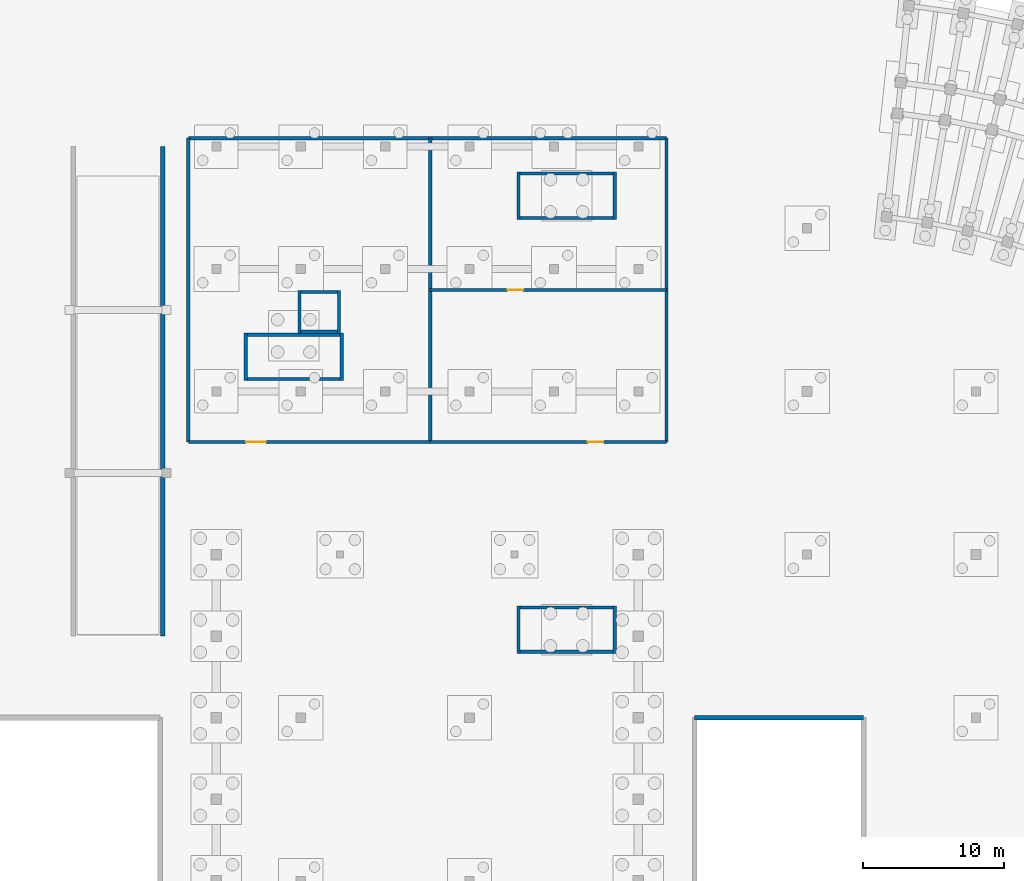
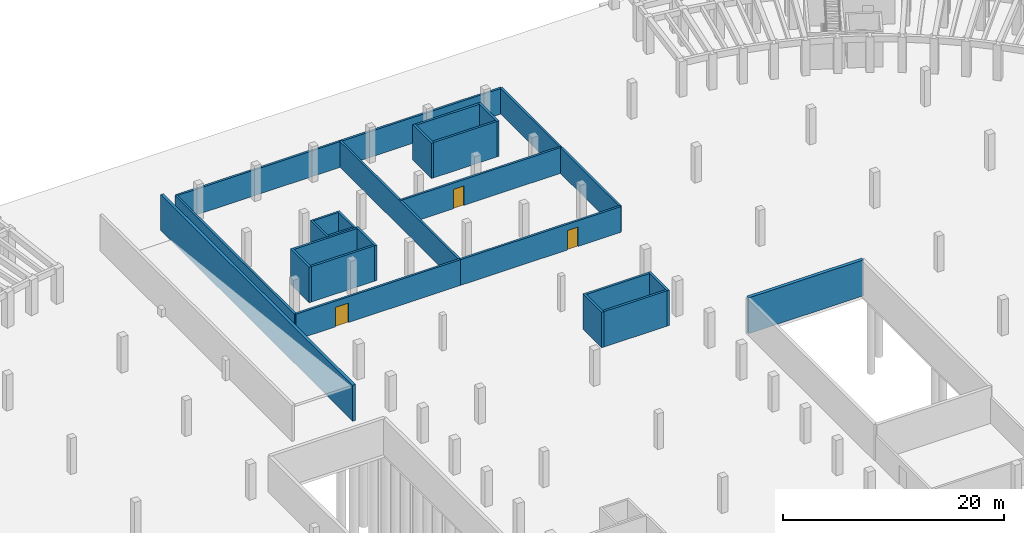
# One storey, part 21 of 29: 25 walls, 3 doors, 3 openings.
"""IFC4 building model written with IfcOpenShell, lengths in metres."""

from ifc_helpers import new_model, si_unit, direction, frame, frame_2d, origin, place, context, subcontext, project, spatial, rectangle, extrude, material, layer, layer_set, type_object, element, fill, save


model = new_model("IFC4")

# Units and contexts
model_context = context("Model", 3, precision=1e-05, world=origin(), true_north=direction((0.0, 1.0)))
body_context = subcontext(model_context, "Body", "Model", "MODEL_VIEW")
ifc_project = project(units=[si_unit("LENGTHUNIT", "METRE"), si_unit("AREAUNIT", "SQUARE_METRE"), si_unit("VOLUMEUNIT", "CUBIC_METRE"), si_unit("PLANEANGLEUNIT", "RADIAN"), si_unit("MASSUNIT", "GRAM", prefix="KILO")], contexts=[model_context])

# Site, building, storey
site_placement = place(None, origin())
site = spatial("IfcSite", under=ifc_project, at=site_placement, CompositionType="ELEMENT")
building_placement = place(site_placement, origin())
building = spatial("IfcBuilding", under=site, at=building_placement, Name="Tanwirah Colonnade Gardens", CompositionType="ELEMENT")
storey_placement = place(building_placement, frame((0.0, 0.0, -4.199951171875)))
storey = spatial("IfcBuildingStorey", under=building, at=storey_placement, Name="B1", CompositionType="ELEMENT", Elevation=-4.199951171875)

# Walls
ifc_material_1 = material(Name="Autoclaved aerated masonry blockwork", Category="masonry")
ifc_layer_1 = layer(ifc_material_1, 0.219970703125)
ifc_layer_set_1 = layer_set([ifc_layer_1], Name="Autoclaved aerated masonry blockwork")
wall_type_1 = type_object("IfcWallType", Name="IW-FFL220", PredefinedType="PARTITIONING", material=ifc_layer_set_1)
wall_1_placement = place(storey_placement, frame((76.0, 88.39990234375, 0.0), z_axis=(0.0, 0.0, 1.0), x_axis=(0.0, 1.0, 0.0)))
element("IfcWall", 1, at=wall_1_placement, inside=storey, type_object=wall_type_1, Name="Interior Partition IW-B1-PLT-W", PredefinedType="PARTITIONING", context=body_context, shape_type="SweptSolid", body=[
    extrude(rectangle(XDim=21.60009765625, YDim=0.219970703125, at=frame_2d((10.800048828125, 0.0))), origin(), (0.0, 0.0, 1.0), 2.849853515625),
])
wall_2_placement = place(storey_placement, frame((76.0, 110.0, 0.0), z_axis=(0.0, 0.0, 1.0), x_axis=(1.0, 0.0, 0.0)))
element("IfcWall", 2, at=wall_2_placement, inside=storey, type_object=wall_type_1, Name="Interior Partition IW-B1-PLT-N", PredefinedType="PARTITIONING", context=body_context, shape_type="SweptSolid", body=[
    extrude(rectangle(XDim=34.0, YDim=0.219970703125, at=frame_2d((17.0, 0.0))), origin(), (0.0, 0.0, 1.0), 2.849853515625),
])
for number, where, z_axis, x_axis, name in (
    (3, (110.0, 88.39990234375, 0.0), (0.0, 0.0, 1.0), (0.0, 1.0, 0.0), "Interior Partition IW-B1-PLT-E"),
    (4, (93.199951171875, 88.39990234375, 0.0), (0.0, 0.0, 1.0), (0.0, 1.0, 0.0), "Interior Partition IW-B1-PLT-MID"),
):
    element("IfcWall", number, at=place(storey_placement, frame(where, z_axis=z_axis, x_axis=x_axis)), inside=storey, type_object=wall_type_1, Name=name, PredefinedType="PARTITIONING", context=body_context, shape_type="SweptSolid", body=[
        extrude(rectangle(XDim=21.60009765625, YDim=0.219970703125, at=frame_2d((10.800048828125, 0.0))), origin(), (0.0, 0.0, 1.0), 2.849853515625),
    ])

# Wall, opening, door
wall_3_placement = place(storey_placement, frame((93.199951171875, 99.199951171875, 0.0), z_axis=(0.0, 0.0, 1.0), x_axis=(1.0, 0.0, 0.0)))
wall_3 = element("IfcWall", 5, at=wall_3_placement, inside=storey, type_object=wall_type_1, Name="Interior Partition IW-B1-TNK", PredefinedType="PARTITIONING", context=body_context, shape_type="SweptSolid", body=[
    extrude(rectangle(XDim=16.800048828125, YDim=0.219970703125, at=frame_2d((8.39990234375, 0.0))), origin(), (0.0, 0.0, 1.0), 2.849853515625),
])
opening_1_placement = place(wall_3_placement, frame((5.498046875, 0.0, 0.0)))
opening_1 = element("IfcOpeningElement", 6, at=opening_1_placement, cuts=wall_3, Name="Opening B1-VD1980", PredefinedType="OPENING", context=body_context, shape_type="SweptSolid", body=[
    extrude(rectangle(XDim=1.10009765625, YDim=2.14990234375, at=frame_2d((0.550048828125, 1.074951171875))), frame((0.0, 0.119873046875, 0.0), z_axis=(0.0, -1.0, 0.0), x_axis=(1.0, 0.0, 0.0)), (0.0, 0.0, 1.0), 0.239990234375),
])
ifc_material_2 = material(Name="Galvanized steel plant room fire door", Category="steel")
door_type_1 = type_object("IfcDoorType", Name="ID-PLT11", OperationType="NOTDEFINED", PredefinedType="DOOR", material=ifc_material_2)
door_1_placement = place(opening_1_placement, origin())
door_1 = element("IfcDoor", 7, at=door_1_placement, inside=storey, type_object=door_type_1, Name="Civic interior door B1-VD1980", OperationType="SINGLE_SWING_LEFT", OverallHeight=2.14990234375, OverallWidth=1.10009765625, PredefinedType="DOOR", context=body_context, shape_type="SweptSolid", body=[
    extrude(rectangle(XDim=1.10009765625, YDim=2.14990234375, at=frame_2d((0.550048828125, 1.074951171875))), frame((0.0, 0.02490234375, 0.0), z_axis=(0.0, -1.0, 0.0), x_axis=(1.0, 0.0, 0.0)), (0.0, 0.0, 1.0), 0.050048828125),
])
fill(opening_1, door_1)

wall_4_placement = place(storey_placement, frame((76.0, 88.39990234375, 0.0), z_axis=(0.0, 0.0, 1.0), x_axis=(1.0, 0.0, 0.0)))
wall_4 = element("IfcWall", 8, at=wall_4_placement, inside=storey, type_object=wall_type_1, Name="Interior Partition IW-B1-CHL", PredefinedType="PARTITIONING", context=body_context, shape_type="SweptSolid", body=[
    extrude(rectangle(XDim=17.199951171875, YDim=0.219970703125, at=frame_2d((8.60009765625, 0.0))), origin(), (0.0, 0.0, 1.0), 2.849853515625),
])
opening_2_placement = place(wall_4_placement, frame((4.115966796875, 0.0, 0.0)))
opening_2 = element("IfcOpeningElement", 9, at=opening_2_placement, cuts=wall_4, Name="Opening B1-VD1981", PredefinedType="OPENING", context=body_context, shape_type="SweptSolid", body=[
    extrude(rectangle(XDim=1.39990234375, YDim=2.14990234375, at=frame_2d((0.699951171875, 1.074951171875))), frame((0.0, 0.119873046875, 0.0), z_axis=(0.0, -1.0, 0.0), x_axis=(1.0, 0.0, 0.0)), (0.0, 0.0, 1.0), 0.239990234375),
])
ifc_material_3 = material(Name="Steel basement service double fire door", Category="steel")
door_type_2 = type_object("IfcDoorType", Name="ID-B1D14", OperationType="DOUBLE_DOOR_SINGLE_SWING", PredefinedType="DOOR", material=ifc_material_3)
door_2_placement = place(opening_2_placement, origin())
door_2 = element("IfcDoor", 10, at=door_2_placement, inside=storey, type_object=door_type_2, Name="Civic interior door B1-VD1981", OperationType="DOUBLE_DOOR_SINGLE_SWING", OverallHeight=2.14990234375, OverallWidth=1.39990234375, PredefinedType="DOOR", context=body_context, shape_type="SweptSolid", body=[
    extrude(rectangle(XDim=1.39990234375, YDim=2.14990234375, at=frame_2d((0.699951171875, 1.074951171875))), frame((0.0, 0.02490234375, 0.0), z_axis=(0.0, -1.0, 0.0), x_axis=(1.0, 0.0, 0.0)), (0.0, 0.0, 1.0), 0.050048828125),
])
fill(opening_2, door_2)

wall_5_placement = place(storey_placement, frame((93.199951171875, 88.39990234375, 0.0), z_axis=(0.0, 0.0, 1.0), x_axis=(1.0, 0.0, 0.0)))
wall_5 = element("IfcWall", 11, at=wall_5_placement, inside=storey, type_object=wall_type_1, Name="Interior Partition IW-B1-SUB", PredefinedType="PARTITIONING", context=body_context, shape_type="SweptSolid", body=[
    extrude(rectangle(XDim=16.800048828125, YDim=0.219970703125, at=frame_2d((8.39990234375, 0.0))), origin(), (0.0, 0.0, 1.0), 2.849853515625),
])
opening_3_placement = place(wall_5_placement, frame((11.2099609375, 0.0, 0.0)))
opening_3 = element("IfcOpeningElement", 12, at=opening_3_placement, cuts=wall_5, Name="Opening B1-VD1982", PredefinedType="OPENING", context=body_context, shape_type="SweptSolid", body=[
    extrude(rectangle(XDim=1.10009765625, YDim=2.14990234375, at=frame_2d((0.550048828125, 1.074951171875))), frame((0.0, 0.119873046875, 0.0), z_axis=(0.0, -1.0, 0.0), x_axis=(1.0, 0.0, 0.0)), (0.0, 0.0, 1.0), 0.239990234375),
])
door_3_placement = place(opening_3_placement, origin())
door_3 = element("IfcDoor", 13, at=door_3_placement, inside=storey, type_object=door_type_1, Name="Civic interior door B1-VD1982", OperationType="SINGLE_SWING_RIGHT", OverallHeight=2.14990234375, OverallWidth=1.10009765625, PredefinedType="DOOR", context=body_context, shape_type="SweptSolid", body=[
    extrude(rectangle(XDim=1.10009765625, YDim=2.14990234375, at=frame_2d((0.550048828125, 1.074951171875))), frame((0.0, 0.02490234375, 0.0), z_axis=(0.0, -1.0, 0.0), x_axis=(1.0, 0.0, 0.0)), (0.0, 0.0, 1.0), 0.050048828125),
])
fill(opening_3, door_3)

# Walls
ifc_material_4 = material(Name="Concrete C45/55", Category="concrete")
ifc_layer_2 = layer(ifc_material_4, 0.340087890625)
ifc_layer_set_2 = layer_set([ifc_layer_2], Name="Concrete C45/55")
wall_type_2 = type_object("IfcWallType", Name="SW-B1RET340", PredefinedType="STANDARD", material=ifc_layer_set_2)
wall_6_placement = place(storey_placement, frame((124.0, 68.800048828125, 0.0), z_axis=(0.0, 0.0, 1.0), x_axis=(-1.0, 0.0, 0.0)))
element("IfcWall", 14, at=wall_6_placement, inside=storey, type_object=wall_type_2, Name="Basement Courtyard Retaining Wall 2.3", PredefinedType="STANDARD", context=body_context, shape_type="SweptSolid", body=[
    extrude(rectangle(XDim=12.0, YDim=0.340087890625, at=frame_2d((6.0, 0.0))), origin(), (0.0, 0.0, 1.0), 3.969970703125),
])
ifc_layer_3 = layer(ifc_material_4, 0.235107421875)
ifc_layer_set_3 = layer_set([ifc_layer_3], Name="Concrete C45/55")
wall_type_3 = type_object("IfcWallType", Name="SW-CORE235", PredefinedType="SHEAR", material=ifc_layer_set_3)
wall_7_placement = place(storey_placement, frame((99.60009765625, 73.482421875, 0.0), z_axis=(0.0, 0.0, 1.0), x_axis=(1.0, 0.0, 0.0)))
element("IfcWall", 15, at=wall_7_placement, inside=storey, type_object=wall_type_3, Name="CORE-H2 B1 Stair Shaft Shear Wall LEFT", PredefinedType="SHEAR", context=body_context, shape_type="SweptSolid", body=[
    extrude(rectangle(XDim=6.599853515625, YDim=0.235107421875, at=frame_2d((3.2998046875, 0.0))), origin(), (0.0, 0.0, 1.0), 3.919921875),
])
for number, where, z_axis, x_axis, name in (
    (16, (106.3173828125, 73.364990234375, 0.0), (0.0, 0.0, 1.0), (0.0, 1.0, 0.0), "CORE-H2 B1 Stair Shaft Shear Wall FAR"),
    (17, (99.482421875, 73.364990234375, 0.0), (0.0, 0.0, 1.0), (0.0, 1.0, 0.0), "CORE-H2 B1 Stair Shaft Shear Wall NEAR"),
):
    element("IfcWall", number, at=place(storey_placement, frame(where, z_axis=z_axis, x_axis=x_axis)), inside=storey, type_object=wall_type_3, Name=name, PredefinedType="SHEAR", context=body_context, shape_type="SweptSolid", body=[
        extrude(rectangle(XDim=3.389892578125, YDim=0.235107421875, at=frame_2d((1.69482421875, 0.0))), origin(), (0.0, 0.0, 1.0), 3.919921875),
    ])
wall_8_placement = place(storey_placement, frame((99.60009765625, 76.637451171875, 0.0), z_axis=(0.0, 0.0, 1.0), x_axis=(1.0, 0.0, 0.0)))
element("IfcWall", 18, at=wall_8_placement, inside=storey, type_object=wall_type_3, Name="CORE-H2 B1 Stair Shaft Shear Wall RIGHT", PredefinedType="SHEAR", context=body_context, shape_type="SweptSolid", body=[
    extrude(rectangle(XDim=6.599853515625, YDim=0.235107421875, at=frame_2d((3.2998046875, 0.0))), origin(), (0.0, 0.0, 1.0), 3.919921875),
])
wall_9_placement = place(storey_placement, frame((80.199951171875, 92.882568359375, 0.0), z_axis=(0.0, 0.0, 1.0), x_axis=(1.0, 0.0, 0.0)))
element("IfcWall", 19, at=wall_9_placement, inside=storey, type_object=wall_type_3, Name="CORE-N1 B1 Stair Shaft Shear Wall LEFT", PredefinedType="SHEAR", context=body_context, shape_type="SweptSolid", body=[
    extrude(rectangle(XDim=6.60009765625, YDim=0.235107421875, at=frame_2d((3.300048828125, 0.0))), origin(), (0.0, 0.0, 1.0), 3.919921875),
])
for number, where, z_axis, x_axis, name in (
    (20, (86.91748046875, 92.764892578125, 0.0), (0.0, 0.0, 1.0), (0.0, 1.0, 0.0), "CORE-N1 B1 Stair Shaft Shear Wall FAR"),
    (21, (80.08251953125, 92.764892578125, 0.0), (0.0, 0.0, 1.0), (0.0, 1.0, 0.0), "CORE-N1 B1 Stair Shaft Shear Wall NEAR"),
):
    element("IfcWall", number, at=place(storey_placement, frame(where, z_axis=z_axis, x_axis=x_axis)), inside=storey, type_object=wall_type_3, Name=name, PredefinedType="SHEAR", context=body_context, shape_type="SweptSolid", body=[
        extrude(rectangle(XDim=3.39013671875, YDim=0.235107421875, at=frame_2d((1.695068359375, 0.0))), origin(), (0.0, 0.0, 1.0), 3.919921875),
    ])
wall_10_placement = place(storey_placement, frame((80.199951171875, 96.03759765625, 0.0), z_axis=(0.0, 0.0, 1.0), x_axis=(1.0, 0.0, 0.0)))
element("IfcWall", 22, at=wall_10_placement, inside=storey, type_object=wall_type_3, Name="CORE-N1 B1 Stair Shaft Shear Wall RIGHT", PredefinedType="SHEAR", context=body_context, shape_type="SweptSolid", body=[
    extrude(rectangle(XDim=6.60009765625, YDim=0.235107421875, at=frame_2d((3.300048828125, 0.0))), origin(), (0.0, 0.0, 1.0), 3.919921875),
])
wall_11_placement = place(storey_placement, frame((99.60009765625, 104.33251953125, 0.0), z_axis=(0.0, 0.0, 1.0), x_axis=(1.0, 0.0, 0.0)))
element("IfcWall", 23, at=wall_11_placement, inside=storey, type_object=wall_type_3, Name="CORE-N2 B1 Stair Shaft Shear Wall LEFT", PredefinedType="SHEAR", context=body_context, shape_type="SweptSolid", body=[
    extrude(rectangle(XDim=6.599853515625, YDim=0.235107421875, at=frame_2d((3.2998046875, 0.0))), origin(), (0.0, 0.0, 1.0), 3.919921875),
])
for number, where, z_axis, x_axis, name in (
    (24, (106.3173828125, 104.215087890625, 0.0), (0.0, 0.0, 1.0), (0.0, 1.0, 0.0), "CORE-N2 B1 Stair Shaft Shear Wall FAR"),
    (25, (99.482421875, 104.215087890625, 0.0), (0.0, 0.0, 1.0), (0.0, 1.0, 0.0), "CORE-N2 B1 Stair Shaft Shear Wall NEAR"),
):
    element("IfcWall", number, at=place(storey_placement, frame(where, z_axis=z_axis, x_axis=x_axis)), inside=storey, type_object=wall_type_3, Name=name, PredefinedType="SHEAR", context=body_context, shape_type="SweptSolid", body=[
        extrude(rectangle(XDim=3.389892578125, YDim=0.235107421875, at=frame_2d((1.69482421875, 0.0))), origin(), (0.0, 0.0, 1.0), 3.919921875),
    ])
wall_12_placement = place(storey_placement, frame((99.60009765625, 107.487548828125, 0.0), z_axis=(0.0, 0.0, 1.0), x_axis=(1.0, 0.0, 0.0)))
element("IfcWall", 26, at=wall_12_placement, inside=storey, type_object=wall_type_3, Name="CORE-N2 B1 Stair Shaft Shear Wall RIGHT", PredefinedType="SHEAR", context=body_context, shape_type="SweptSolid", body=[
    extrude(rectangle(XDim=6.599853515625, YDim=0.235107421875, at=frame_2d((3.2998046875, 0.0))), origin(), (0.0, 0.0, 1.0), 3.919921875),
])
ifc_layer_4 = layer(ifc_material_4, 0.215087890625)
ifc_layer_set_4 = layer_set([ifc_layer_4], Name="Concrete C45/55")
wall_type_4 = type_object("IfcWallType", Name="SW-LIFT215", PredefinedType="SHEAR", material=ifc_layer_set_4)
for number, where, z_axis, x_axis, name in (
    (27, (83.892578125, 96.135009765625, 0.0), (0.0, 0.0, 1.0), (0.0, 1.0, 0.0), "CORE-N1 B1 Lift Shaft Wall FRONT"),
    (28, (86.70751953125, 96.135009765625, 0.0), (0.0, 0.0, 1.0), (0.0, 1.0, 0.0), "CORE-N1 B1 Lift Shaft Wall BACK"),
):
    element("IfcWall", number, at=place(storey_placement, frame(where, z_axis=z_axis, x_axis=x_axis)), inside=storey, type_object=wall_type_4, Name=name, PredefinedType="SHEAR", context=body_context, shape_type="SweptSolid", body=[
        extrude(rectangle(XDim=3.030029296875, YDim=0.215087890625, at=frame_2d((1.51513671875, 0.0))), origin(), (0.0, 0.0, 1.0), 3.919921875),
    ])
for number, where, z_axis, x_axis, name in (
    (29, (84.0, 96.242431640625, 0.0), (0.0, 0.0, 1.0), (1.0, 0.0, 0.0), "CORE-N1 B1 Lift Shaft Wall SIDEA"),
    (30, (84.0, 99.0576171875, 0.0), (0.0, 0.0, 1.0), (1.0, 0.0, 0.0), "CORE-N1 B1 Lift Shaft Wall SIDEB"),
):
    element("IfcWall", number, at=place(storey_placement, frame(where, z_axis=z_axis, x_axis=x_axis)), inside=storey, type_object=wall_type_4, Name=name, PredefinedType="SHEAR", context=body_context, shape_type="SweptSolid", body=[
        extrude(rectangle(XDim=2.60009765625, YDim=0.215087890625, at=frame_2d((1.300048828125, 0.0))), origin(), (0.0, 0.0, 1.0), 3.919921875),
    ])
ifc_layer_5 = layer(ifc_material_4, 0.300048828125)
ifc_layer_set_5 = layer_set([ifc_layer_5], Name="Concrete C45/55")
wall_type_5 = type_object("IfcWallType", Name="SW-RMP300", PredefinedType="SHEAR", material=ifc_layer_set_5)
wall_13_placement = place(storey_placement, frame((74.179931640625, 74.60009765625, 0.0), z_axis=(0.0, 0.0, 1.0), x_axis=(0.0, 1.0, 0.0)))
element("IfcWall", 31, at=wall_13_placement, inside=storey, type_object=wall_type_5, Name="Basement Ramp Structural Wall E", PredefinedType="SHEAR", context=body_context, shape_type="SweptSolid", body=[
    extrude(rectangle(XDim=34.7998046875, YDim=0.300048828125, at=frame_2d((17.39990234375, 0.0))), origin(), (0.0, 0.0, 1.0), 3.969970703125),
])

save(model, "model.ifc")
